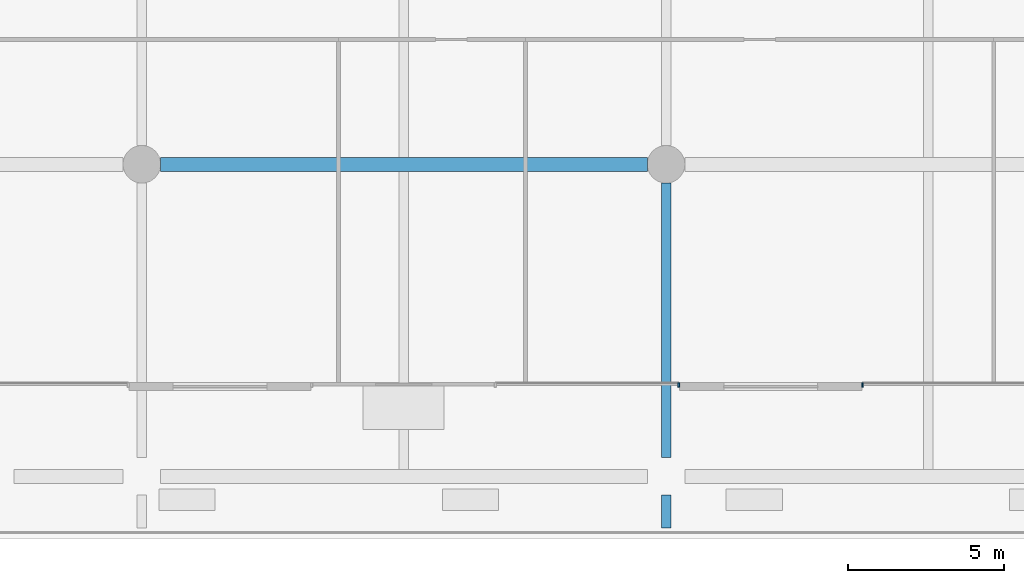
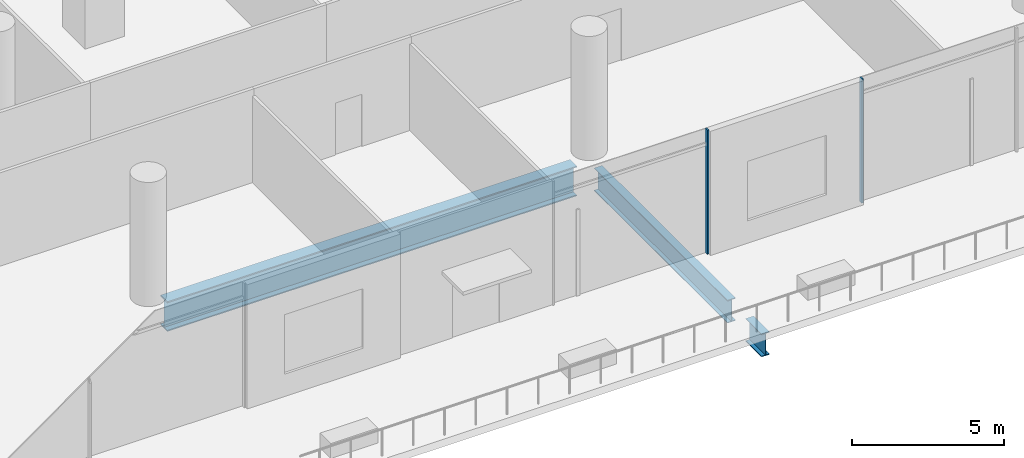
# One storey, part 6 of 51: 3 beams, 2 members, 1 element without a shape of its own.
"""IFC4 building model written with IfcOpenShell, lengths in metres."""

from ifc_helpers import new_model, si_unit, direction, frame, origin, origin_2d, place, context, subcontext, project, spatial, rectangle, i_section, extrude, material, material_profile, profile_set, type_object, element, aggregate, save


model = new_model("IFC4")

# Units and contexts
model_context = context("Model", 3, precision=1e-05, world=origin(), true_north=direction((0.0, 1.0)))
body_context = subcontext(model_context, "Body", "Model", "MODEL_VIEW")
ifc_project = project(units=[si_unit("LENGTHUNIT", "METRE"), si_unit("AREAUNIT", "SQUARE_METRE"), si_unit("VOLUMEUNIT", "CUBIC_METRE"), si_unit("PLANEANGLEUNIT", "RADIAN"), si_unit("MASSUNIT", "GRAM", prefix="KILO")], contexts=[model_context])

# Site, building, storey
site_placement = place(None, origin())
site = spatial("IfcSite", under=ifc_project, at=site_placement, CompositionType="ELEMENT")
building_placement = place(site_placement, origin())
building = spatial("IfcBuilding", under=site, at=building_placement, Name="Rimbun Link Towers", CompositionType="ELEMENT")
storey_placement = place(building_placement, frame((0.0, 0.0, 7.0)))
storey = spatial("IfcBuildingStorey", under=building, at=storey_placement, Name="L01", CompositionType="ELEMENT", Elevation=7.0)

# Curtain wall, members
ifc_material_1 = material(Name="Aluminium 6063-T6 and low-iron glass", Category="aluminium")
curtain_wall_type = type_object("IfcCurtainWallType", Name="CW3 podium shopfront", PredefinedType="NOTDEFINED", material=ifc_material_1)
curtain_wall_placement = place(storey_placement, origin())
curtain_wall = element("IfcCurtainWall", 1, at=curtain_wall_placement, inside=storey, type_object=curtain_wall_type, Name="CW3 L01 PD", PredefinedType="NOTDEFINED")
ifc_material_2 = material(Name="Aluminium 6063-T6", Category="aluminium")
ifc_material_profile_1 = material_profile(ifc_material_2, rectangle(XDim=0.14990234375, YDim=0.06005859375, at=origin_2d()), Name="MULLION 60X150")
ifc_profile_set_1 = profile_set([ifc_material_profile_1], Name="Aluminium 6063-T6")
member_type = type_object("IfcMemberType", Name="CW3 mullion 60X150", PredefinedType="MULLION", material=ifc_profile_set_1)
member_1_placement = place(storey_placement, frame((-20.588134765625, -43.074951171875, 0.0), z_axis=(0.0, 0.0, 1.0), x_axis=(0.0, -1.0, 0.0)))
member_1 = element("IfcMember", 2, at=member_1_placement, type_object=member_type, Name="CW3 mullion", PredefinedType="MULLION", context=body_context, shape_type="SweptSolid", body=[
    extrude(rectangle(XDim=0.14990234375, YDim=0.06005859375, at=origin_2d()), origin(), (0.0, 0.0, 1.0), 5.0),
])
member_2_placement = place(storey_placement, frame((-14.705810546875, -43.074951171875, 0.0), z_axis=(0.0, 0.0, 1.0), x_axis=(0.0, -1.0, 0.0)))
member_2 = element("IfcMember", 3, at=member_2_placement, type_object=member_type, Name="CW3 mullion", PredefinedType="MULLION", context=body_context, shape_type="SweptSolid", body=[
    extrude(rectangle(XDim=0.14990234375, YDim=0.06005859375, at=origin_2d()), origin(), (0.0, 0.0, 1.0), 5.0),
])
aggregate(curtain_wall, [member_1, member_2])

# Beams
ifc_material_3 = material(Name="Steel S355J2", Category="steel")
ifc_material_profile_2 = material_profile(ifc_material_3, i_section(OverallWidth=0.449951171875, OverallDepth=1.199951171875, WebThickness=0.030029296875, FlangeThickness=0.044921875, at=origin_2d()), Name="PG 1200x450x30/45")
ifc_profile_set_2 = profile_set([ifc_material_profile_2], Name="Steel S355J2")
beam_type_1 = type_object("IfcBeamType", Name="PG 1200x450x30/45", PredefinedType="BEAM", material=ifc_profile_set_2)
beam_1_placement = place(storey_placement, frame((-37.199951171875, -36.0, -0.89990234375), z_axis=(1.0, 0.0, 0.0), x_axis=(0.0, 1.0, 0.0)))
element("IfcBeam", 4, at=beam_1_placement, inside=storey, type_object=beam_type_1, Name="Grid beam L01 -36.0", PredefinedType="BEAM", context=body_context, shape_type="SweptSolid", body=[
    extrude(i_section(OverallWidth=0.449951171875, OverallDepth=1.199951171875, WebThickness=0.030029296875, FlangeThickness=0.044921875, at=origin_2d()), origin(), (0.0, 0.0, 1.0), 15.599853515625),
])
ifc_material_4 = material(Name="Steel S355J2", Category="steel")
ifc_material_profile_3 = material_profile(ifc_material_4, i_section(OverallWidth=0.305419921875, OverallDepth=0.91845703125, WebThickness=0.017333984375, FlangeThickness=0.02783203125, at=origin_2d()), Name="UB 914x305x253")
ifc_profile_set_3 = profile_set([ifc_material_profile_3], Name="Steel S355J2")
beam_type_2 = type_object("IfcBeamType", Name="UB 914x305x253", PredefinedType="BEAM", material=ifc_profile_set_3)
beam_2_placement = place(storey_placement, frame((-21.0, -47.649169921875, -0.75927734375), z_axis=(0.0, 1.0, 0.0), x_axis=(-1.0, 0.0, 0.0)))
element("IfcBeam", 5, at=beam_2_placement, inside=storey, type_object=beam_type_2, Name="Grid beam L01 -21.0", PredefinedType="BEAM", context=body_context, shape_type="SweptSolid", body=[
    extrude(i_section(OverallWidth=0.305419921875, OverallDepth=0.91845703125, WebThickness=0.017333984375, FlangeThickness=0.02783203125, at=origin_2d()), origin(), (0.0, 0.0, 1.0), 1.049072265625),
])
beam_3_placement = place(storey_placement, frame((-21.0, -45.39990234375, -0.75927734375), z_axis=(0.0, 1.0, 0.0), x_axis=(-1.0, 0.0, 0.0)))
element("IfcBeam", 6, at=beam_3_placement, inside=storey, type_object=beam_type_2, Name="Grid beam L01 -21.0", PredefinedType="BEAM", context=body_context, shape_type="SweptSolid", body=[
    extrude(i_section(OverallWidth=0.305419921875, OverallDepth=0.91845703125, WebThickness=0.017333984375, FlangeThickness=0.02783203125, at=origin_2d()), origin(), (0.0, 0.0, 1.0), 8.7998046875),
])

save(model, "model.ifc")
